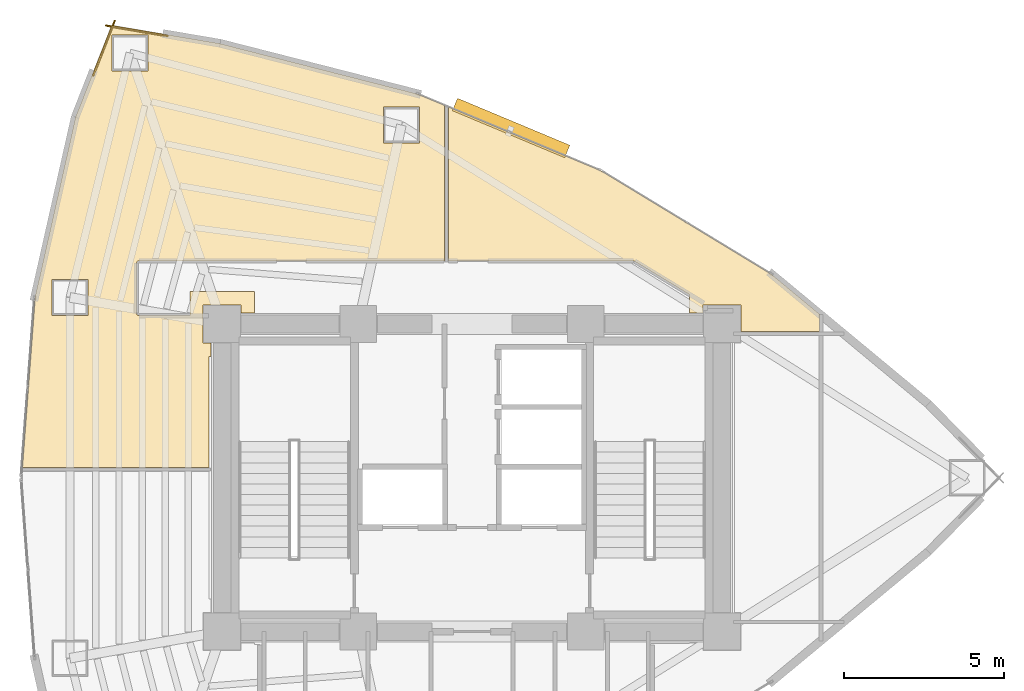
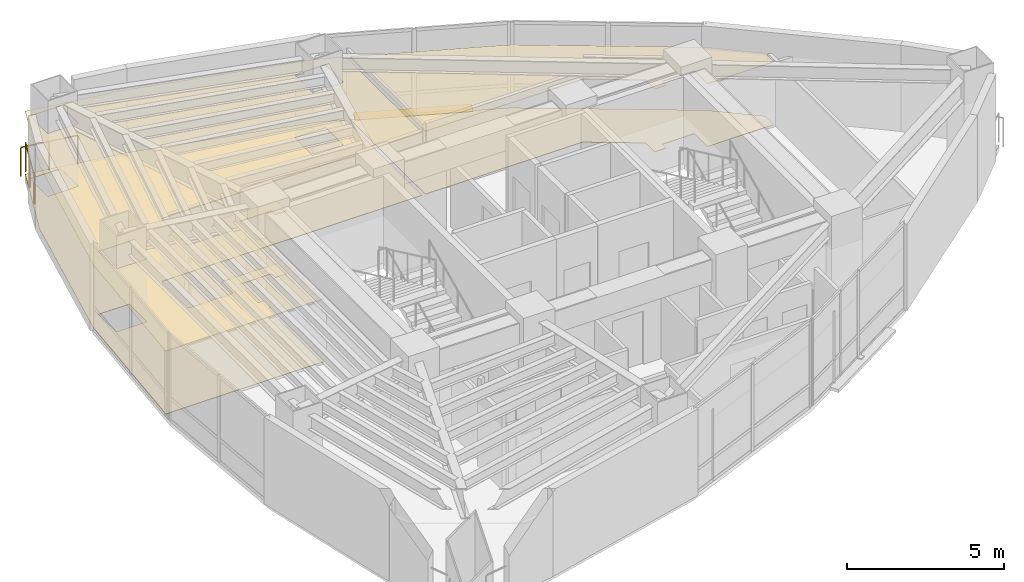
# One storey, part 15 of 15: 4 coverings, 2 railings, 1 shading device.
"""IFC4 building model written with IfcOpenShell, lengths in metres."""

from ifc_helpers import new_model, si_unit, direction, frame, origin, origin_2d, place, context, subcontext, project, spatial, polyline, rectangle, circle, outline, extrude, material, layer, layer_set, type_object, element, save


model = new_model("IFC4")

# Units and contexts
model_context = context("Model", 3, precision=1e-05, world=origin(), true_north=direction((0.0, 1.0)))
body_context = subcontext(model_context, "Body", "Model", "MODEL_VIEW")
ifc_project = project(units=[si_unit("LENGTHUNIT", "METRE"), si_unit("AREAUNIT", "SQUARE_METRE"), si_unit("VOLUMEUNIT", "CUBIC_METRE"), si_unit("PLANEANGLEUNIT", "RADIAN"), si_unit("MASSUNIT", "GRAM", prefix="KILO")], contexts=[model_context])

# Site, building, storey
site_placement = place(None, origin())
site = spatial("IfcSite", under=ifc_project, at=site_placement, CompositionType="ELEMENT")
building_placement = place(site_placement, origin())
building = spatial("IfcBuilding", under=site, at=building_placement, Name="Menara Vayukalpa", CompositionType="ELEMENT")
storey_placement = place(building_placement, frame((0.0, 0.0, 144.89990234375)))
storey = spatial("IfcBuildingStorey", under=building, at=storey_placement, Name="L36", CompositionType="ELEMENT", Elevation=144.89990234375)

# Coverings
ifc_material_1 = material(Name="Mineral Fibre Acoustic Ceiling Tile", Category="masonry")
ifc_layer_1 = layer(ifc_material_1, 0.02490234375)
ifc_layer_set_1 = layer_set([ifc_layer_1], Name="Mineral Fibre Acoustic Ceiling Tile")
covering_type_1 = type_object("IfcCoveringType", Name="COV-CLG1", PredefinedType="CEILING", material=ifc_layer_set_1)
covering_1_placement = place(storey_placement, frame((0.0, 0.0, 2.4501953125)))
element("IfcCovering", 1, at=covering_1_placement, inside=storey, type_object=covering_type_1, Name="L36 Digital Engineering Lab Acoustic Ceiling", PredefinedType="CEILING", context=body_context, shape_type="SweptSolid", body=[
    extrude(outline(polyline([(32.389892578125, 27.71875), (30.67626953125, 28.759765625), (30.670654296875, 28.762939453125), (30.664794921875, 28.765380859375), (30.65869140625, 28.767333984375), (30.65234375, 28.768798828125), (30.646240234375, 28.769775390625), (30.6396484375, 28.77001953125), (24.8701171875, 28.77001953125), (24.868896484375, 28.77001953125), (24.867919921875, 28.770263671875), (24.8671875, 28.7705078125), (24.8662109375, 28.770751953125), (24.865234375, 28.771240234375), (24.864501953125, 28.771728515625), (24.86376953125, 28.772216796875), (24.86279296875, 28.77294921875), (24.8623046875, 28.773681640625), (24.86181640625, 28.7744140625), (24.861083984375, 28.775390625), (24.86083984375, 28.776123046875), (24.8603515625, 28.777099609375), (24.860107421875, 28.778076171875), (24.860107421875, 28.779052734375), (24.860107421875, 28.780029296875), (24.860107421875, 33.563232421875), (24.860107421875, 33.564208984375), (24.860107421875, 33.565185546875), (24.8603515625, 33.566162109375), (24.86083984375, 33.56689453125), (24.861083984375, 33.56787109375), (24.86181640625, 33.56884765625), (24.8623046875, 33.569580078125), (24.86279296875, 33.5703125), (24.86376953125, 33.57080078125), (24.864501953125, 33.571533203125), (24.865234375, 33.572021484375), (24.8662109375, 33.572509765625), (24.8671875, 33.57275390625), (24.8681640625, 33.572998046875), (24.868896484375, 33.5732421875), (24.8701171875, 33.5732421875), (24.87109375, 33.572998046875), (24.8720703125, 33.572998046875), (24.872802734375, 33.57275390625), (24.873779296875, 33.572509765625), (29.631591796875, 31.582275390625), (29.632080078125, 31.58203125), (29.6328125, 31.58154296875), (34.948486328125, 28.3525390625), (34.94970703125, 28.351806640625), (36.438720703125, 27.11669921875), (36.439208984375, 27.1162109375), (36.43994140625, 27.115234375), (36.440673828125, 27.114501953125), (36.441162109375, 27.113525390625), (36.44140625, 27.11279296875), (36.44189453125, 27.11181640625), (36.442138671875, 27.110595703125), (36.442138671875, 27.109619140625), (36.442138671875, 27.108642578125), (36.442138671875, 27.107666015625), (36.44189453125, 27.106689453125), (36.441162109375, 27.103515625), (36.440185546875, 27.09765625), (36.43994140625, 27.091796875), (36.43994140625, 26.570068359375), (36.43994140625, 26.569091796875), (36.439697265625, 26.568115234375), (36.439697265625, 26.567138671875), (36.439208984375, 26.566162109375), (36.438720703125, 26.565185546875), (36.438232421875, 26.564453125), (36.437744140625, 26.563720703125), (36.43701171875, 26.56298828125), (36.436279296875, 26.562255859375), (36.435546875, 26.561767578125), (36.434814453125, 26.561279296875), (36.433837890625, 26.560791015625), (36.432861328125, 26.560302734375), (36.431884765625, 26.560302734375), (36.430908203125, 26.56005859375), (36.429931640625, 26.56005859375), (33.989990234375, 26.56005859375), (33.989990234375, 27.389892578125), (32.81005859375, 27.389892578125), (32.81005859375, 27.14990234375), (32.389892578125, 27.14990234375), (32.389892578125, 27.71875)])), origin(), (0.0, 0.0, 1.0), 0.02490234375),
])
covering_2_placement = place(storey_placement, frame((0.0, 0.0, 2.4501953125)))
element("IfcCovering", 2, at=covering_2_placement, inside=storey, type_object=covering_type_1, Name="L36 Digital Engineering Lab Acoustic Ceiling", PredefinedType="CEILING", context=body_context, shape_type="SweptSolid", body=[
    extrude(outline(polyline([(18.81005859375, 27.14990234375), (18.389892578125, 27.14990234375), (18.389892578125, 27.389892578125), (17.2099609375, 27.389892578125), (17.2099609375, 26.2099609375), (17.449951171875, 26.2099609375), (17.449951171875, 25.7900390625), (17.389892578125, 25.7900390625), (17.389892578125, 22.328369140625), (17.389892578125, 22.327392578125), (17.389892578125, 22.326416015625), (17.3896484375, 22.325439453125), (17.38916015625, 22.324462890625), (17.388916015625, 22.323486328125), (17.38818359375, 22.32275390625), (17.3876953125, 22.322021484375), (17.38720703125, 22.3212890625), (17.38623046875, 22.320556640625), (17.385498046875, 22.320068359375), (17.384765625, 22.319580078125), (17.3837890625, 22.319091796875), (17.3828125, 22.318603515625), (17.382080078125, 22.318603515625), (17.381103515625, 22.318359375), (17.3798828125, 22.318359375), (11.5712890625, 22.318359375), (11.5703125, 22.318359375), (11.569580078125, 22.318603515625), (11.568603515625, 22.318603515625), (11.567626953125, 22.319091796875), (11.566650390625, 22.3193359375), (11.56591796875, 22.31982421875), (11.565185546875, 22.320556640625), (11.564453125, 22.3212890625), (11.563720703125, 22.322021484375), (11.563232421875, 22.322509765625), (11.562744140625, 22.323486328125), (11.562255859375, 22.32421875), (11.56201171875, 22.3251953125), (11.5615234375, 22.326171875), (11.5615234375, 22.3271484375), (11.561279296875, 22.328125), (11.561279296875, 22.3291015625), (11.958984375, 27.62939453125), (11.958984375, 27.631103515625), (13.2255859375, 33.260009765625), (13.225830078125, 33.2607421875), (13.22607421875, 33.261474609375), (14.348876953125, 36.120361328125), (14.349365234375, 36.12109375), (14.349853515625, 36.1220703125), (14.350341796875, 36.122802734375), (14.35107421875, 36.12353515625), (14.351806640625, 36.124267578125), (14.3525390625, 36.125), (14.353271484375, 36.12548828125), (14.354248046875, 36.125732421875), (14.35498046875, 36.126220703125), (14.35595703125, 36.12646484375), (14.35693359375, 36.126708984375), (14.35791015625, 36.126708984375), (14.35888671875, 36.126708984375), (14.35986328125, 36.126708984375), (17.730712890625, 35.55419921875), (17.7314453125, 35.55419921875), (23.89208984375, 33.98291015625), (23.8935546875, 33.982421875), (24.73388671875, 33.630859375), (24.734619140625, 33.630615234375), (24.735595703125, 33.6298828125), (24.736328125, 33.62939453125), (24.737060546875, 33.62890625), (24.73779296875, 33.6279296875), (24.73828125, 33.627197265625), (24.73876953125, 33.62646484375), (24.7392578125, 33.62548828125), (24.739501953125, 33.62451171875), (24.73974609375, 33.62353515625), (24.739990234375, 33.622802734375), (24.739990234375, 33.62158203125), (24.739990234375, 28.780029296875), (24.739990234375, 28.779052734375), (24.73974609375, 28.778076171875), (24.739501953125, 28.777099609375), (24.7392578125, 28.776123046875), (24.73876953125, 28.775390625), (24.73828125, 28.7744140625), (24.73779296875, 28.773681640625), (24.737060546875, 28.77294921875), (24.736328125, 28.772216796875), (24.735595703125, 28.771728515625), (24.734619140625, 28.771240234375), (24.73388671875, 28.770751953125), (24.73291015625, 28.7705078125), (24.73193359375, 28.770263671875), (24.73095703125, 28.77001953125), (24.72998046875, 28.77001953125), (15.2001953125, 28.77001953125), (15.193115234375, 28.76953125), (15.186279296875, 28.768798828125), (15.1796875, 28.76708984375), (15.173095703125, 28.7646484375), (15.1669921875, 28.76171875), (15.1611328125, 28.75830078125), (15.155517578125, 28.75390625), (15.150390625, 28.74951171875), (15.14599609375, 28.744384765625), (15.141845703125, 28.73876953125), (15.13818359375, 28.73291015625), (15.13525390625, 28.726806640625), (15.133056640625, 28.72021484375), (15.13134765625, 28.713623046875), (15.13037109375, 28.706787109375), (15.1298828125, 28.69970703125), (15.1298828125, 27.140380859375), (15.13037109375, 27.13330078125), (15.13134765625, 27.126220703125), (15.133056640625, 27.11962890625), (15.13525390625, 27.11328125), (15.13818359375, 27.10693359375), (15.141845703125, 27.101318359375), (15.14599609375, 27.095458984375), (15.150390625, 27.090576171875), (15.155517578125, 27.0859375), (15.1611328125, 27.081787109375), (15.1669921875, 27.078125), (15.173095703125, 27.0751953125), (15.1796875, 27.072998046875), (15.186279296875, 27.0712890625), (15.193115234375, 27.0703125), (15.2001953125, 27.070068359375), (16.7900390625, 27.070068359375), (16.7900390625, 27.81005859375), (18.81005859375, 27.81005859375), (18.81005859375, 27.14990234375)]), holes=[polyline([(13.614013671875, 28.19677734375), (12.484130859375, 28.19677734375), (12.484130859375, 27.06689453125), (13.614013671875, 27.06689453125), (13.614013671875, 28.19677734375)]), polyline([(15.485595703125, 35.825439453125), (14.35546875, 35.825439453125), (14.35546875, 34.695556640625), (15.485595703125, 34.695556640625), (15.485595703125, 35.825439453125)]), polyline([(23.9619140625, 33.576904296875), (22.831787109375, 33.576904296875), (22.831787109375, 32.447021484375), (23.9619140625, 32.447021484375), (23.9619140625, 33.576904296875)])]), origin(), (0.0, 0.0, 1.0), 0.02490234375),
])
ifc_material_2 = material(Name="Porcelain Stoneware Floor Tile", Category="masonry")
ifc_layer_2 = layer(ifc_material_2, 0.02001953125)
ifc_layer_set_2 = layer_set([ifc_layer_2], Name="Porcelain Stoneware Floor Tile")
covering_type_2 = type_object("IfcCoveringType", Name="COV-FLR1", PredefinedType="FLOORING", material=ifc_layer_set_2)
covering_3_placement = place(storey_placement, origin())
element("IfcCovering", 3, at=covering_3_placement, inside=storey, type_object=covering_type_2, Name="L36 Digital Engineering Lab Porcelain Flooring", PredefinedType="FLOORING", context=body_context, shape_type="SweptSolid", body=[
    extrude(outline(polyline([(32.389892578125, 27.71875), (30.67626953125, 28.759765625), (30.670654296875, 28.762939453125), (30.664794921875, 28.765380859375), (30.65869140625, 28.767333984375), (30.65234375, 28.768798828125), (30.646240234375, 28.769775390625), (30.6396484375, 28.77001953125), (24.8701171875, 28.77001953125), (24.868896484375, 28.77001953125), (24.867919921875, 28.770263671875), (24.8671875, 28.7705078125), (24.8662109375, 28.770751953125), (24.865234375, 28.771240234375), (24.864501953125, 28.771728515625), (24.86376953125, 28.772216796875), (24.86279296875, 28.77294921875), (24.8623046875, 28.773681640625), (24.86181640625, 28.7744140625), (24.861083984375, 28.775390625), (24.86083984375, 28.776123046875), (24.8603515625, 28.777099609375), (24.860107421875, 28.778076171875), (24.860107421875, 28.779052734375), (24.860107421875, 28.780029296875), (24.860107421875, 33.563232421875), (24.860107421875, 33.564208984375), (24.860107421875, 33.565185546875), (24.8603515625, 33.566162109375), (24.86083984375, 33.56689453125), (24.861083984375, 33.56787109375), (24.86181640625, 33.56884765625), (24.8623046875, 33.569580078125), (24.86279296875, 33.5703125), (24.86376953125, 33.57080078125), (24.864501953125, 33.571533203125), (24.865234375, 33.572021484375), (24.8662109375, 33.572509765625), (24.8671875, 33.57275390625), (24.8681640625, 33.572998046875), (24.868896484375, 33.5732421875), (24.8701171875, 33.5732421875), (24.87109375, 33.572998046875), (24.8720703125, 33.572998046875), (24.872802734375, 33.57275390625), (24.873779296875, 33.572509765625), (29.631591796875, 31.582275390625), (29.632080078125, 31.58203125), (29.6328125, 31.58154296875), (34.948486328125, 28.3525390625), (34.94970703125, 28.351806640625), (36.438720703125, 27.11669921875), (36.439208984375, 27.1162109375), (36.43994140625, 27.115234375), (36.440673828125, 27.114501953125), (36.441162109375, 27.113525390625), (36.44140625, 27.11279296875), (36.44189453125, 27.11181640625), (36.442138671875, 27.110595703125), (36.442138671875, 27.109619140625), (36.442138671875, 27.108642578125), (36.442138671875, 27.107666015625), (36.44189453125, 27.106689453125), (36.441162109375, 27.103515625), (36.440185546875, 27.09765625), (36.43994140625, 27.091796875), (36.43994140625, 26.570068359375), (36.43994140625, 26.569091796875), (36.439697265625, 26.568115234375), (36.439697265625, 26.567138671875), (36.439208984375, 26.566162109375), (36.438720703125, 26.565185546875), (36.438232421875, 26.564453125), (36.437744140625, 26.563720703125), (36.43701171875, 26.56298828125), (36.436279296875, 26.562255859375), (36.435546875, 26.561767578125), (36.434814453125, 26.561279296875), (36.433837890625, 26.560791015625), (36.432861328125, 26.560302734375), (36.431884765625, 26.560302734375), (36.430908203125, 26.56005859375), (36.429931640625, 26.56005859375), (33.989990234375, 26.56005859375), (33.989990234375, 27.389892578125), (32.81005859375, 27.389892578125), (32.81005859375, 27.14990234375), (32.389892578125, 27.14990234375), (32.389892578125, 27.71875)])), origin(), (0.0, 0.0, 1.0), 0.02001953125),
])
covering_4_placement = place(storey_placement, origin())
element("IfcCovering", 4, at=covering_4_placement, inside=storey, type_object=covering_type_2, Name="L36 Digital Engineering Lab Porcelain Flooring", PredefinedType="FLOORING", context=body_context, shape_type="SweptSolid", body=[
    extrude(outline(polyline([(18.81005859375, 27.14990234375), (18.389892578125, 27.14990234375), (18.389892578125, 27.389892578125), (17.2099609375, 27.389892578125), (17.2099609375, 26.2099609375), (17.449951171875, 26.2099609375), (17.449951171875, 25.7900390625), (17.389892578125, 25.7900390625), (17.389892578125, 22.328369140625), (17.389892578125, 22.327392578125), (17.389892578125, 22.326416015625), (17.3896484375, 22.325439453125), (17.38916015625, 22.324462890625), (17.388916015625, 22.323486328125), (17.38818359375, 22.32275390625), (17.3876953125, 22.322021484375), (17.38720703125, 22.3212890625), (17.38623046875, 22.320556640625), (17.385498046875, 22.320068359375), (17.384765625, 22.319580078125), (17.3837890625, 22.319091796875), (17.3828125, 22.318603515625), (17.382080078125, 22.318603515625), (17.381103515625, 22.318359375), (17.3798828125, 22.318359375), (11.5712890625, 22.318359375), (11.5703125, 22.318359375), (11.569580078125, 22.318603515625), (11.568603515625, 22.318603515625), (11.567626953125, 22.319091796875), (11.566650390625, 22.3193359375), (11.56591796875, 22.31982421875), (11.565185546875, 22.320556640625), (11.564453125, 22.3212890625), (11.563720703125, 22.322021484375), (11.563232421875, 22.322509765625), (11.562744140625, 22.323486328125), (11.562255859375, 22.32421875), (11.56201171875, 22.3251953125), (11.5615234375, 22.326171875), (11.5615234375, 22.3271484375), (11.561279296875, 22.328125), (11.561279296875, 22.3291015625), (11.958984375, 27.62939453125), (11.958984375, 27.631103515625), (13.2255859375, 33.260009765625), (13.225830078125, 33.2607421875), (13.22607421875, 33.261474609375), (14.348876953125, 36.120361328125), (14.349365234375, 36.12109375), (14.349853515625, 36.1220703125), (14.350341796875, 36.122802734375), (14.35107421875, 36.12353515625), (14.351806640625, 36.124267578125), (14.3525390625, 36.125), (14.353271484375, 36.12548828125), (14.354248046875, 36.125732421875), (14.35498046875, 36.126220703125), (14.35595703125, 36.12646484375), (14.35693359375, 36.126708984375), (14.35791015625, 36.126708984375), (14.35888671875, 36.126708984375), (14.35986328125, 36.126708984375), (17.730712890625, 35.55419921875), (17.7314453125, 35.55419921875), (23.89208984375, 33.98291015625), (23.8935546875, 33.982421875), (24.73388671875, 33.630859375), (24.734619140625, 33.630615234375), (24.735595703125, 33.6298828125), (24.736328125, 33.62939453125), (24.737060546875, 33.62890625), (24.73779296875, 33.6279296875), (24.73828125, 33.627197265625), (24.73876953125, 33.62646484375), (24.7392578125, 33.62548828125), (24.739501953125, 33.62451171875), (24.73974609375, 33.62353515625), (24.739990234375, 33.622802734375), (24.739990234375, 33.62158203125), (24.739990234375, 28.780029296875), (24.739990234375, 28.779052734375), (24.73974609375, 28.778076171875), (24.739501953125, 28.777099609375), (24.7392578125, 28.776123046875), (24.73876953125, 28.775390625), (24.73828125, 28.7744140625), (24.73779296875, 28.773681640625), (24.737060546875, 28.77294921875), (24.736328125, 28.772216796875), (24.735595703125, 28.771728515625), (24.734619140625, 28.771240234375), (24.73388671875, 28.770751953125), (24.73291015625, 28.7705078125), (24.73193359375, 28.770263671875), (24.73095703125, 28.77001953125), (24.72998046875, 28.77001953125), (15.2001953125, 28.77001953125), (15.193115234375, 28.76953125), (15.186279296875, 28.768798828125), (15.1796875, 28.76708984375), (15.173095703125, 28.7646484375), (15.1669921875, 28.76171875), (15.1611328125, 28.75830078125), (15.155517578125, 28.75390625), (15.150390625, 28.74951171875), (15.14599609375, 28.744384765625), (15.141845703125, 28.73876953125), (15.13818359375, 28.73291015625), (15.13525390625, 28.726806640625), (15.133056640625, 28.72021484375), (15.13134765625, 28.713623046875), (15.13037109375, 28.706787109375), (15.1298828125, 28.69970703125), (15.1298828125, 27.140380859375), (15.13037109375, 27.13330078125), (15.13134765625, 27.126220703125), (15.133056640625, 27.11962890625), (15.13525390625, 27.11328125), (15.13818359375, 27.10693359375), (15.141845703125, 27.101318359375), (15.14599609375, 27.095458984375), (15.150390625, 27.090576171875), (15.155517578125, 27.0859375), (15.1611328125, 27.081787109375), (15.1669921875, 27.078125), (15.173095703125, 27.0751953125), (15.1796875, 27.072998046875), (15.186279296875, 27.0712890625), (15.193115234375, 27.0703125), (15.2001953125, 27.070068359375), (16.7900390625, 27.070068359375), (16.7900390625, 27.81005859375), (18.81005859375, 27.81005859375), (18.81005859375, 27.14990234375)]), holes=[polyline([(13.614013671875, 28.19677734375), (12.484130859375, 28.19677734375), (12.484130859375, 27.06689453125), (13.614013671875, 27.06689453125), (13.614013671875, 28.19677734375)]), polyline([(15.485595703125, 35.825439453125), (14.35546875, 35.825439453125), (14.35546875, 34.695556640625), (15.485595703125, 34.695556640625), (15.485595703125, 35.825439453125)]), polyline([(23.9619140625, 33.576904296875), (22.831787109375, 33.576904296875), (22.831787109375, 32.447021484375), (23.9619140625, 32.447021484375), (23.9619140625, 33.576904296875)])]), origin(), (0.0, 0.0, 1.0), 0.02001953125),
])

# Railings
ifc_material_3 = material(Name="Laminated Glass and Stainless Steel 316 Guardrail", Category="steel")
railing_type = type_object("IfcRailingType", Name="RLG-EXT115", PredefinedType="GUARDRAIL", material=ifc_material_3)
railing_1_placement = place(storey_placement, frame((16.095947265625, 35.791259765625, 0.0)))
element("IfcRailing", 5, at=railing_1_placement, inside=storey, type_object=railing_type, Name="L36 Column Corner Spandrel Guardrail 07-1", PredefinedType="GUARDRAIL", context=body_context, shape_type="SweptSolid", body=[
    extrude(circle(Radius=0.02392578125, at=origin_2d()), frame((0.0, 0.0, 1.1259765625), z_axis=(-0.985886955751, 0.167412396435, 0.0), x_axis=(-0.167412396435, -0.985886955751, 0.0)), (0.0, 0.0, 1.0), 1.94384765625),
    extrude(circle(Radius=0.02099609375, at=origin_2d()), origin(), (0.0, 0.0, 1.0), 1.101806640625),
    extrude(circle(Radius=0.02099609375, at=origin_2d()), frame((-0.958251953125, 0.16259765625, 0.0)), (0.0, 0.0, 1.0), 1.101806640625),
    extrude(circle(Radius=0.02099609375, at=origin_2d()), frame((-1.91650390625, 0.325439453125, 0.0)), (0.0, 0.0, 1.0), 1.101806640625),
])
railing_2_placement = place(storey_placement, frame((14.450439453125, 36.269775390625, 0.0)))
element("IfcRailing", 6, at=railing_2_placement, inside=storey, type_object=railing_type, Name="L36 Column Corner Spandrel Guardrail 08-1", PredefinedType="GUARDRAIL", context=body_context, shape_type="SweptSolid", body=[
    extrude(circle(Radius=0.02392578125, at=origin_2d()), frame((0.0, 0.0, 1.1259765625), z_axis=(-0.365496165744, -0.93081284522, 0.0), x_axis=(0.93081284522, -0.365496165744, 0.0)), (0.0, 0.0, 1.0), 1.837646484375),
    extrude(circle(Radius=0.02099609375, at=origin_2d()), origin(), (0.0, 0.0, 1.0), 1.101806640625),
    extrude(circle(Radius=0.02099609375, at=origin_2d()), frame((-0.3359375, -0.855224609375, 0.0)), (0.0, 0.0, 1.0), 1.101806640625),
    extrude(circle(Radius=0.02099609375, at=origin_2d()), frame((-0.671630859375, -1.71044921875, 0.0)), (0.0, 0.0, 1.0), 1.101806640625),
])

# Shading device
ifc_material_4 = material(Name="Glazed Terracotta Ceramic Baguette Extrusion", Category="masonry")
ifc_layer_3 = layer(ifc_material_4, 0.1201171875)
ifc_layer_set_3 = layer_set([ifc_layer_3], Name="Glazed Terracotta Ceramic Baguette Extrusion")
shading_device_type = type_object("IfcShadingDeviceType", Name="SHD-SS1", PredefinedType="USERDEFINED", material=ifc_layer_set_3)
shading_device_placement = place(storey_placement, frame((26.8203125, 32.9208984375, -0.099853515625), z_axis=(0.0, 0.0, 1.0), x_axis=(-0.922544824647, 0.385889940938, 0.0)))
element("IfcShadingDevice", 7, at=shading_device_placement, inside=storey, type_object=shading_device_type, Name="L36 Horizontal Terracotta Sunshade Band 05", ObjectType="SUNSHADE", PredefinedType="USERDEFINED", context=body_context, shape_type="SweptSolid", body=[
    extrude(rectangle(XDim=3.800048828125, YDim=0.419921875, at=origin_2d()), origin(), (0.0, 0.0, 1.0), 0.1201171875),
])

save(model, "model.ifc")
